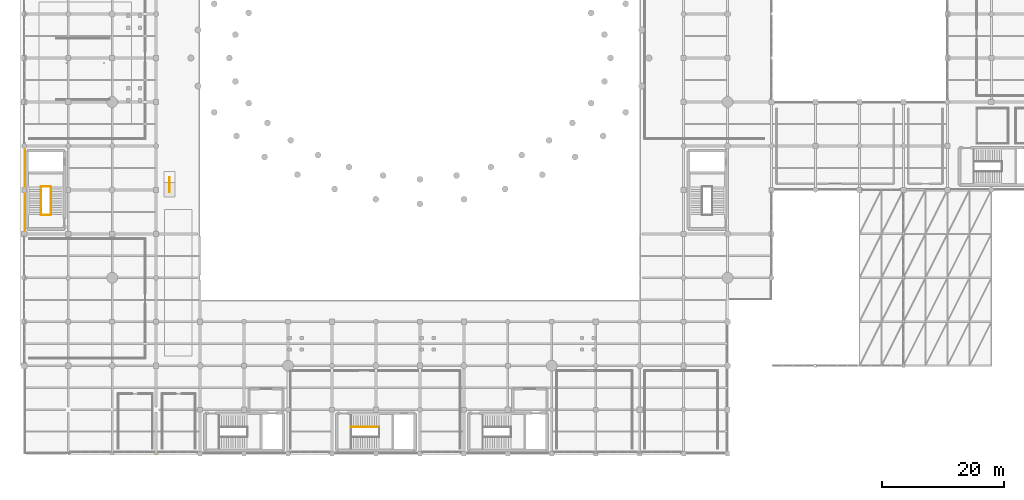
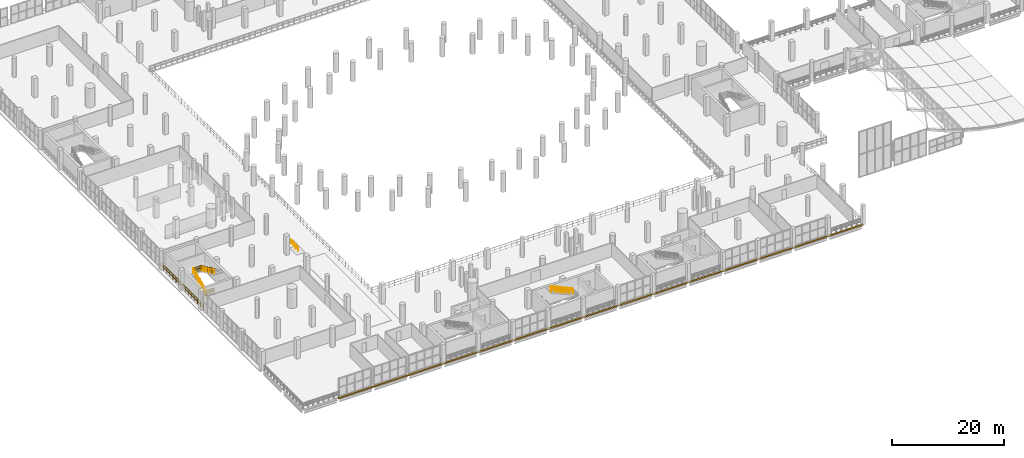
# One storey, part 143 of 153: 10 railings, 1 covering.
"""IFC4 building model written with IfcOpenShell, lengths in metres."""

from ifc_helpers import new_model, si_unit, direction, frame, origin, origin_2d, place, context, subcontext, project, spatial, rectangle, circle, extrude, material, layer, layer_set, type_object, element, save


model = new_model("IFC4")

# Units and contexts
model_context = context("Model", 3, precision=1e-05, world=origin(), true_north=direction((0.0, 1.0)))
body_context = subcontext(model_context, "Body", "Model", "MODEL_VIEW")
ifc_project = project(units=[si_unit("LENGTHUNIT", "METRE"), si_unit("AREAUNIT", "SQUARE_METRE"), si_unit("VOLUMEUNIT", "CUBIC_METRE"), si_unit("PLANEANGLEUNIT", "RADIAN"), si_unit("MASSUNIT", "GRAM", prefix="KILO")], contexts=[model_context])

# Site, building, storey
site_placement = place(None, origin())
site = spatial("IfcSite", under=ifc_project, at=site_placement, CompositionType="ELEMENT")
building_placement = place(site_placement, origin())
building = spatial("IfcBuilding", under=site, at=building_placement, Name="Qandorah Velis Arena", CompositionType="ELEMENT")
storey_placement = place(building_placement, frame((0.0, 0.0, 5.39990234375)))
storey = spatial("IfcBuildingStorey", under=building, at=storey_placement, Name="L01", CompositionType="ELEMENT", Elevation=5.39990234375)

# Covering
ifc_material_1 = material(Name="Precast Riyadh limestone cladding", Category="masonry")
ifc_layer = layer(ifc_material_1, 0.054931640625)
ifc_layer_set = layer_set([ifc_layer], Name="Precast Riyadh limestone cladding")
covering_type = type_object("IfcCoveringType", Name="ARC-COV-CLAD", PredefinedType="CLADDING", material=ifc_layer_set)
covering_placement = place(storey_placement, frame((61.199951171875, 0.0400390625, -0.27001953125), z_axis=(0.0, 0.0, 1.0), x_axis=(1.0, 0.0, 0.0)))
element("IfcCovering", 1, at=covering_placement, inside=storey, type_object=covering_type, Name="Sculpted precast solar eyebrow reveal 05", PredefinedType="CLADDING", context=body_context, shape_type="SweptSolid", body=[
    extrude(rectangle(XDim=108.0, YDim=0.360107421875, at=origin_2d()), origin(), (0.0, 0.0, 1.0), 0.260009765625),
])

# Railings
ifc_material_2 = material(Name="Stainless steel 316", Category="steel")
railing_type_1 = type_object("IfcRailingType", Name="ARC-RL-GRD1150", PredefinedType="GUARDRAIL", material=ifc_material_2)
for number, where, name in (
    (2, (2.739990234375, 39.110107421875, 0.0), "Stair ST5 landing well-slot guardrail L01"),
    (3, (2.739990234375, 43.74609375, 2.10009765625), "Stair ST5 well guardrail (L01)"),
):
    element("IfcRailing", number, at=place(storey_placement, frame(where)), inside=storey, type_object=railing_type_1, Name=name, PredefinedType="GUARDRAIL", context=body_context, shape_type="SweptSolid", body=[
        extrude(circle(Radius=0.02392578125, at=origin_2d()), frame((0.0, 0.0, 1.1259765625), z_axis=(1.0, 0.0, 0.0), x_axis=(0.0, 1.0, 0.0)), (0.0, 0.0, 1.0), 1.6201171875),
        extrude(circle(Radius=0.02392578125, at=origin_2d()), frame((0.0, 0.0, 0.597900390625), z_axis=(1.0, 0.0, 0.0), x_axis=(0.0, 1.0, 0.0)), (0.0, 0.0, 1.0), 1.6201171875),
        extrude(circle(Radius=0.02099609375, at=origin_2d()), origin(), (0.0, 0.0, 1.0), 1.101806640625),
        extrude(circle(Radius=0.02099609375, at=origin_2d()), frame((0.27001953125, 0.0, 0.0)), (0.0, 0.0, 1.0), 1.101806640625),
        extrude(circle(Radius=0.02099609375, at=origin_2d()), frame((0.5400390625, 0.0, 0.0)), (0.0, 0.0, 1.0), 1.101806640625),
        extrude(circle(Radius=0.02099609375, at=origin_2d()), frame((0.81005859375, 0.0, 0.0)), (0.0, 0.0, 1.0), 1.101806640625),
        extrude(circle(Radius=0.02099609375, at=origin_2d()), frame((1.080078125, 0.0, 0.0)), (0.0, 0.0, 1.0), 1.101806640625),
        extrude(circle(Radius=0.02099609375, at=origin_2d()), frame((1.35009765625, 0.0, 0.0)), (0.0, 0.0, 1.0), 1.101806640625),
        extrude(circle(Radius=0.02099609375, at=origin_2d()), frame((1.6201171875, 0.0, 0.0)), (0.0, 0.0, 1.0), 1.101806640625),
    ])
railing_1_placement = place(storey_placement, frame((2.72998046875, 39.14990234375, 0.0)))
element("IfcRailing", 4, at=railing_1_placement, inside=storey, type_object=railing_type_1, Name="Stair ST5 inner flight 1 guardrail (L01)", PredefinedType="GUARDRAIL", context=body_context, shape_type="SweptSolid", body=[
    extrude(circle(Radius=0.02392578125, at=origin_2d()), frame((0.0, 0.0, 1.1259765625), z_axis=(0.0, 0.907464148506, 0.420129526666), x_axis=(-1.0, 0.0, 0.0)), (0.0, 0.0, 1.0), 4.998779296875),
    extrude(circle(Radius=0.02392578125, at=origin_2d()), frame((0.0, 0.0, 0.597900390625), z_axis=(0.0, 0.907464148506, 0.420129526666), x_axis=(-1.0, 0.0, 0.0)), (0.0, 0.0, 1.0), 4.998779296875),
    extrude(circle(Radius=0.02099609375, at=origin_2d()), origin(), (0.0, 0.0, 1.0), 1.101806640625),
    extrude(circle(Radius=0.02099609375, at=origin_2d()), frame((0.0, 0.756103515625, 0.35009765625)), (0.0, 0.0, 1.0), 1.101806640625),
    extrude(circle(Radius=0.02099609375, at=origin_2d()), frame((0.0, 1.511962890625, 0.699951171875)), (0.0, 0.0, 1.0), 1.101806640625),
    extrude(circle(Radius=0.02099609375, at=origin_2d()), frame((0.0, 2.26806640625, 1.050048828125)), (0.0, 0.0, 1.0), 1.101806640625),
    extrude(circle(Radius=0.02099609375, at=origin_2d()), frame((0.0, 3.024169921875, 1.400146484375)), (0.0, 0.0, 1.0), 1.101806640625),
    extrude(circle(Radius=0.02099609375, at=origin_2d()), frame((0.0, 3.780029296875, 1.75)), (0.0, 0.0, 1.0), 1.101806640625),
    extrude(circle(Radius=0.02099609375, at=origin_2d()), frame((0.0, 4.5361328125, 2.10009765625)), (0.0, 0.0, 1.0), 1.101806640625),
])
railing_2_placement = place(storey_placement, frame((4.3701171875, 43.68603515625, 2.10009765625)))
element("IfcRailing", 5, at=railing_2_placement, inside=storey, type_object=railing_type_1, Name="Stair ST5 inner flight 2 guardrail (L01)", PredefinedType="GUARDRAIL", context=body_context, shape_type="SweptSolid", body=[
    extrude(circle(Radius=0.02392578125, at=origin_2d()), frame((0.0, 0.0, 1.1259765625), z_axis=(0.0, -0.907464148506, 0.420129526666), x_axis=(1.0, 0.0, 0.0)), (0.0, 0.0, 1.0), 4.998779296875),
    extrude(circle(Radius=0.02392578125, at=origin_2d()), frame((0.0, 0.0, 0.597900390625), z_axis=(0.0, -0.907464148506, 0.420129526666), x_axis=(1.0, 0.0, 0.0)), (0.0, 0.0, 1.0), 4.998779296875),
    extrude(circle(Radius=0.02099609375, at=origin_2d()), origin(), (0.0, 0.0, 1.0), 1.101806640625),
    extrude(circle(Radius=0.02099609375, at=origin_2d()), frame((0.0, -0.756103515625, 0.35009765625)), (0.0, 0.0, 1.0), 1.101806640625),
    extrude(circle(Radius=0.02099609375, at=origin_2d()), frame((0.0, -1.511962890625, 0.699951171875)), (0.0, 0.0, 1.0), 1.101806640625),
    extrude(circle(Radius=0.02099609375, at=origin_2d()), frame((0.0, -2.26806640625, 1.050048828125)), (0.0, 0.0, 1.0), 1.101806640625),
    extrude(circle(Radius=0.02099609375, at=origin_2d()), frame((0.0, -3.024169921875, 1.400146484375)), (0.0, 0.0, 1.0), 1.101806640625),
    extrude(circle(Radius=0.02099609375, at=origin_2d()), frame((0.0, -3.780029296875, 1.75)), (0.0, 0.0, 1.0), 1.101806640625),
    extrude(circle(Radius=0.02099609375, at=origin_2d()), frame((0.0, -4.5361328125, 2.10009765625)), (0.0, 0.0, 1.0), 1.101806640625),
])
railing_3_placement = place(storey_placement, frame((58.0859375, 4.3701171875, 2.10009765625)))
element("IfcRailing", 6, at=railing_3_placement, inside=storey, type_object=railing_type_1, Name="Stair ST9 inner flight 2 guardrail (L01)", PredefinedType="GUARDRAIL", context=body_context, shape_type="SweptSolid", body=[
    extrude(circle(Radius=0.02392578125, at=origin_2d()), frame((0.0, 0.0, 1.1259765625), z_axis=(-0.907455527081, 0.0, 0.420148148122), x_axis=(0.0, -1.0, 0.0)), (0.0, 0.0, 1.0), 4.99853515625),
    extrude(circle(Radius=0.02392578125, at=origin_2d()), frame((0.0, 0.0, 0.597900390625), z_axis=(-0.907455527081, 0.0, 0.420148148122), x_axis=(0.0, -1.0, 0.0)), (0.0, 0.0, 1.0), 4.99853515625),
    extrude(circle(Radius=0.02099609375, at=origin_2d()), origin(), (0.0, 0.0, 1.0), 1.101806640625),
    extrude(circle(Radius=0.02099609375, at=origin_2d()), frame((-0.755859375, 0.0, 0.35009765625)), (0.0, 0.0, 1.0), 1.101806640625),
    extrude(circle(Radius=0.02099609375, at=origin_2d()), frame((-1.511962890625, 0.0, 0.699951171875)), (0.0, 0.0, 1.0), 1.101806640625),
    extrude(circle(Radius=0.02099609375, at=origin_2d()), frame((-2.26806640625, 0.0, 1.050048828125)), (0.0, 0.0, 1.0), 1.101806640625),
    extrude(circle(Radius=0.02099609375, at=origin_2d()), frame((-3.02392578125, 0.0, 1.400146484375)), (0.0, 0.0, 1.0), 1.101806640625),
    extrude(circle(Radius=0.02099609375, at=origin_2d()), frame((-3.77978515625, 0.0, 1.75)), (0.0, 0.0, 1.0), 1.101806640625),
    extrude(circle(Radius=0.02099609375, at=origin_2d()), frame((-4.535888671875, 0.0, 2.10009765625)), (0.0, 0.0, 1.0), 1.101806640625),
])
railing_4_placement = place(storey_placement, frame((0.10009765625, 35.550048828125, 0.0)))
element("IfcRailing", 7, at=railing_4_placement, inside=storey, type_object=railing_type_1, Name="Slab edge safety guardrail L01-094", PredefinedType="GUARDRAIL", context=body_context, shape_type="SweptSolid", body=[
    extrude(circle(Radius=0.02392578125, at=origin_2d()), frame((0.0, 0.0, 1.1259765625), z_axis=(0.0, 1.0, 0.0), x_axis=(-1.0, 0.0, 0.0)), (0.0, 0.0, 1.0), 15.27490234375),
    extrude(circle(Radius=0.02392578125, at=origin_2d()), frame((0.0, 0.0, 0.597900390625), z_axis=(0.0, 1.0, 0.0), x_axis=(-1.0, 0.0, 0.0)), (0.0, 0.0, 1.0), 15.27490234375),
    extrude(circle(Radius=0.02099609375, at=origin_2d()), origin(), (0.0, 0.0, 1.0), 1.101806640625),
    extrude(circle(Radius=0.02099609375, at=origin_2d()), frame((0.0, 1.091064453125, 0.0)), (0.0, 0.0, 1.0), 1.101806640625),
    extrude(circle(Radius=0.02099609375, at=origin_2d()), frame((0.0, 2.18212890625, 0.0)), (0.0, 0.0, 1.0), 1.101806640625),
    extrude(circle(Radius=0.02099609375, at=origin_2d()), frame((0.0, 3.273193359375, 0.0)), (0.0, 0.0, 1.0), 1.101806640625),
    extrude(circle(Radius=0.02099609375, at=origin_2d()), frame((0.0, 4.3642578125, 0.0)), (0.0, 0.0, 1.0), 1.101806640625),
    extrude(circle(Radius=0.02099609375, at=origin_2d()), frame((0.0, 5.455322265625, 0.0)), (0.0, 0.0, 1.0), 1.101806640625),
    extrude(circle(Radius=0.02099609375, at=origin_2d()), frame((0.0, 6.54638671875, 0.0)), (0.0, 0.0, 1.0), 1.101806640625),
    extrude(circle(Radius=0.02099609375, at=origin_2d()), frame((0.0, 7.637451171875, 0.0)), (0.0, 0.0, 1.0), 1.101806640625),
    extrude(circle(Radius=0.02099609375, at=origin_2d()), frame((0.0, 8.728515625, 0.0)), (0.0, 0.0, 1.0), 1.101806640625),
    extrude(circle(Radius=0.02099609375, at=origin_2d()), frame((0.0, 9.819580078125, 0.0)), (0.0, 0.0, 1.0), 1.101806640625),
    extrude(circle(Radius=0.02099609375, at=origin_2d()), frame((0.0, 10.91064453125, 0.0)), (0.0, 0.0, 1.0), 1.101806640625),
    extrude(circle(Radius=0.02099609375, at=origin_2d()), frame((0.0, 12.001708984375, 0.0)), (0.0, 0.0, 1.0), 1.101806640625),
    extrude(circle(Radius=0.02099609375, at=origin_2d()), frame((0.0, 13.0927734375, 0.0)), (0.0, 0.0, 1.0), 1.101806640625),
    extrude(circle(Radius=0.02099609375, at=origin_2d()), frame((0.0, 14.183837890625, 0.0)), (0.0, 0.0, 1.0), 1.101806640625),
    extrude(circle(Radius=0.02099609375, at=origin_2d()), frame((0.0, 15.27490234375, 0.0)), (0.0, 0.0, 1.0), 1.101806640625),
])
railing_type_2 = type_object("IfcRailingType", Name="ARC-RL-HND920", PredefinedType="HANDRAIL", material=ifc_material_2)
railing_5_placement = place(storey_placement, frame((2.72998046875, 39.14990234375, 0.0)))
element("IfcRailing", 8, at=railing_5_placement, inside=storey, type_object=railing_type_2, Name="Stair ST5 inner handrail 1 (L01)", PredefinedType="HANDRAIL", context=body_context, shape_type="SweptSolid", body=[
    extrude(circle(Radius=0.02392578125, at=origin_2d()), frame((0.0, 0.0, 0.89599609375), z_axis=(0.0, 0.907464148506, 0.420129526666), x_axis=(-1.0, 0.0, 0.0)), (0.0, 0.0, 1.0), 4.998779296875),
    extrude(circle(Radius=0.02099609375, at=origin_2d()), origin(), (0.0, 0.0, 1.0), 0.871826171875),
    extrude(circle(Radius=0.02099609375, at=origin_2d()), frame((0.0, 0.9072265625, 0.419921875)), (0.0, 0.0, 1.0), 0.871826171875),
    extrude(circle(Radius=0.02099609375, at=origin_2d()), frame((0.0, 1.814453125, 0.840087890625)), (0.0, 0.0, 1.0), 0.871826171875),
    extrude(circle(Radius=0.02099609375, at=origin_2d()), frame((0.0, 2.7216796875, 1.260009765625)), (0.0, 0.0, 1.0), 0.871826171875),
    extrude(circle(Radius=0.02099609375, at=origin_2d()), frame((0.0, 3.62890625, 1.68017578125)), (0.0, 0.0, 1.0), 0.871826171875),
    extrude(circle(Radius=0.02099609375, at=origin_2d()), frame((0.0, 4.5361328125, 2.10009765625)), (0.0, 0.0, 1.0), 0.871826171875),
])
railing_6_placement = place(storey_placement, frame((4.3701171875, 43.68603515625, 2.10009765625)))
element("IfcRailing", 9, at=railing_6_placement, inside=storey, type_object=railing_type_2, Name="Stair ST5 inner handrail 2 (L01)", PredefinedType="HANDRAIL", context=body_context, shape_type="SweptSolid", body=[
    extrude(circle(Radius=0.02392578125, at=origin_2d()), frame((0.0, 0.0, 0.89599609375), z_axis=(0.0, -0.907464148506, 0.420129526666), x_axis=(1.0, 0.0, 0.0)), (0.0, 0.0, 1.0), 4.998779296875),
    extrude(circle(Radius=0.02099609375, at=origin_2d()), origin(), (0.0, 0.0, 1.0), 0.871826171875),
    extrude(circle(Radius=0.02099609375, at=origin_2d()), frame((0.0, -0.9072265625, 0.419921875)), (0.0, 0.0, 1.0), 0.871826171875),
    extrude(circle(Radius=0.02099609375, at=origin_2d()), frame((0.0, -1.814453125, 0.840087890625)), (0.0, 0.0, 1.0), 0.871826171875),
    extrude(circle(Radius=0.02099609375, at=origin_2d()), frame((0.0, -2.7216796875, 1.260009765625)), (0.0, 0.0, 1.0), 0.871826171875),
    extrude(circle(Radius=0.02099609375, at=origin_2d()), frame((0.0, -3.62890625, 1.68017578125)), (0.0, 0.0, 1.0), 0.871826171875),
    extrude(circle(Radius=0.02099609375, at=origin_2d()), frame((0.0, -4.5361328125, 2.10009765625)), (0.0, 0.0, 1.0), 0.871826171875),
])
railing_7_placement = place(storey_placement, frame((58.0859375, 4.3701171875, 2.10009765625)))
element("IfcRailing", 10, at=railing_7_placement, inside=storey, type_object=railing_type_2, Name="Stair ST9 inner handrail 2 (L01)", PredefinedType="HANDRAIL", context=body_context, shape_type="SweptSolid", body=[
    extrude(circle(Radius=0.02392578125, at=origin_2d()), frame((0.0, 0.0, 0.89599609375), z_axis=(-0.907455527081, 0.0, 0.420148148122), x_axis=(0.0, -1.0, 0.0)), (0.0, 0.0, 1.0), 4.99853515625),
    extrude(circle(Radius=0.02099609375, at=origin_2d()), origin(), (0.0, 0.0, 1.0), 0.871826171875),
    extrude(circle(Radius=0.02099609375, at=origin_2d()), frame((-0.9072265625, 0.0, 0.419921875)), (0.0, 0.0, 1.0), 0.871826171875),
    extrude(circle(Radius=0.02099609375, at=origin_2d()), frame((-1.814453125, 0.0, 0.840087890625)), (0.0, 0.0, 1.0), 0.871826171875),
    extrude(circle(Radius=0.02099609375, at=origin_2d()), frame((-2.721435546875, 0.0, 1.260009765625)), (0.0, 0.0, 1.0), 0.871826171875),
    extrude(circle(Radius=0.02099609375, at=origin_2d()), frame((-3.628662109375, 0.0, 1.68017578125)), (0.0, 0.0, 1.0), 0.871826171875),
    extrude(circle(Radius=0.02099609375, at=origin_2d()), frame((-4.535888671875, 0.0, 2.10009765625)), (0.0, 0.0, 1.0), 0.871826171875),
])
railing_8_placement = place(storey_placement, frame((23.800048828125, 42.85009765625, 0.0)))
element("IfcRailing", 11, at=railing_8_placement, inside=storey, type_object=railing_type_2, Name="Ramp PR3 handrail", PredefinedType="HANDRAIL", context=body_context, shape_type="SweptSolid", body=[
    extrude(circle(Radius=0.02392578125, at=origin_2d()), frame((0.0, 0.0, 0.89599609375), z_axis=(0.0, 0.998048625863, 0.062441495921), x_axis=(-1.0, 0.0, 0.0)), (0.0, 0.0, 1.0), 2.404541015625),
    extrude(circle(Radius=0.02099609375, at=origin_2d()), origin(), (0.0, 0.0, 1.0), 0.871826171875),
    extrude(circle(Radius=0.02099609375, at=origin_2d()), frame((0.0, 0.800048828125, 0.050048828125)), (0.0, 0.0, 1.0), 0.871826171875),
    extrude(circle(Radius=0.02099609375, at=origin_2d()), frame((0.0, 1.599853515625, 0.10009765625)), (0.0, 0.0, 1.0), 0.871826171875),
    extrude(circle(Radius=0.02099609375, at=origin_2d()), frame((0.0, 2.39990234375, 0.150146484375)), (0.0, 0.0, 1.0), 0.871826171875),
])

save(model, "model.ifc")
